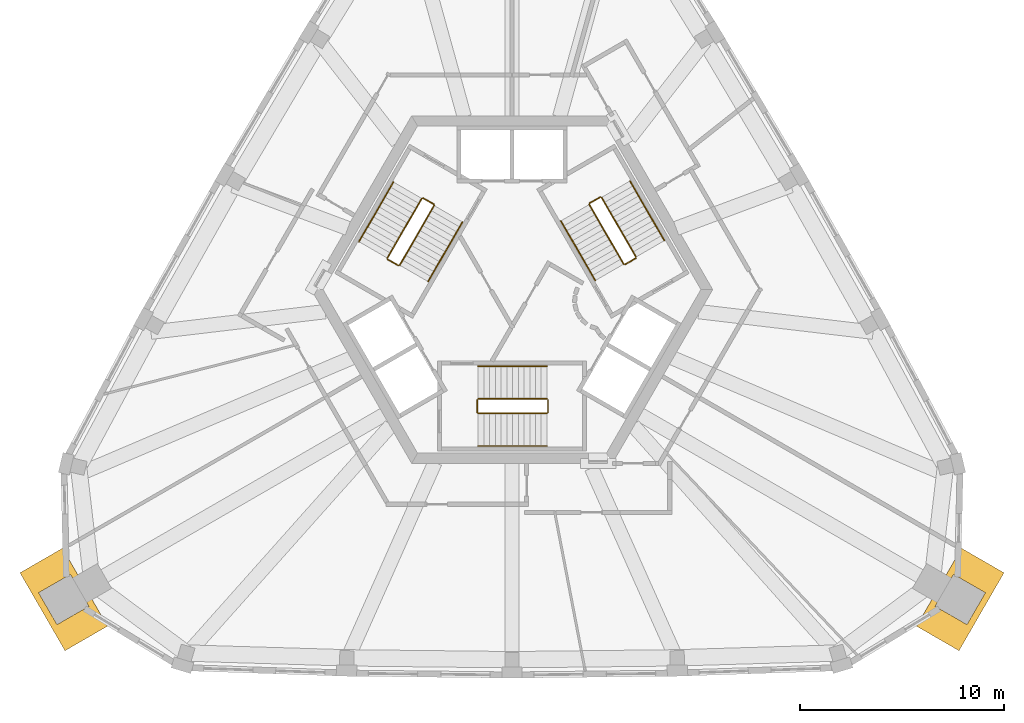
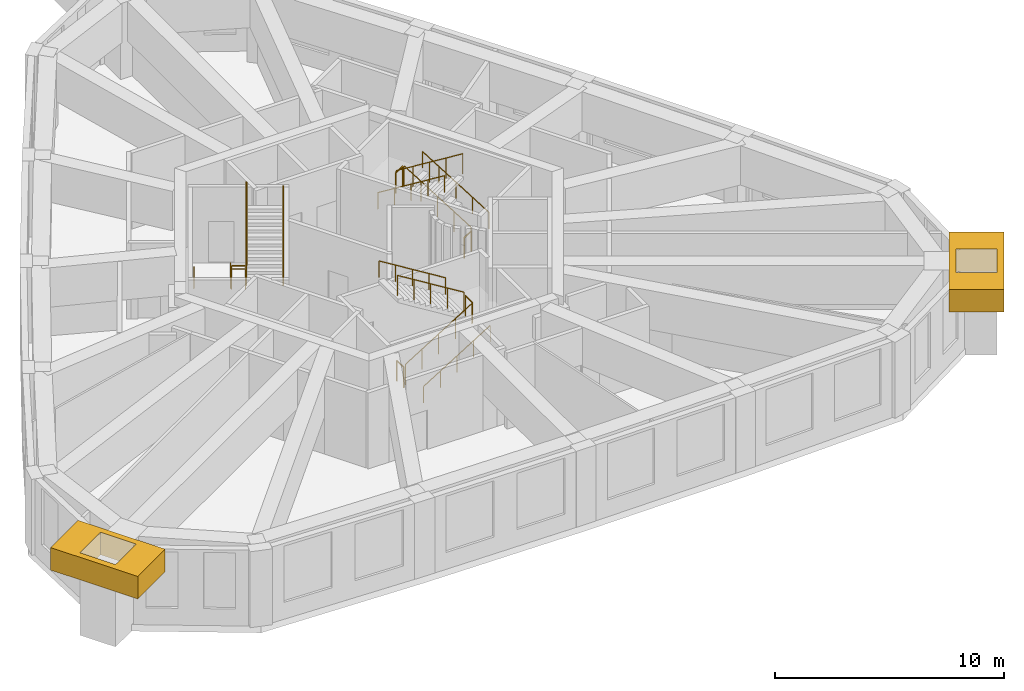
# One storey, part 8 of 9: 18 railings, 2 coverings.
"""IFC4 building model written with IfcOpenShell, lengths in metres."""

from ifc_helpers import new_model, si_unit, direction, frame, origin, origin_2d, place, context, subcontext, project, spatial, polyline, circle, outline, extrude, material, type_object, element, save


model = new_model("IFC4")

# Units and contexts
model_context = context("Model", 3, precision=1e-05, world=origin(), true_north=direction((0.0, 1.0)))
body_context = subcontext(model_context, "Body", "Model", "MODEL_VIEW")
ifc_project = project(units=[si_unit("LENGTHUNIT", "METRE"), si_unit("AREAUNIT", "SQUARE_METRE"), si_unit("VOLUMEUNIT", "CUBIC_METRE"), si_unit("PLANEANGLEUNIT", "RADIAN"), si_unit("MASSUNIT", "GRAM", prefix="KILO")], contexts=[model_context])

# Site, building, storey
site_placement = place(None, origin())
site = spatial("IfcSite", under=ifc_project, at=site_placement, CompositionType="ELEMENT")
building_placement = place(site_placement, origin())
building = spatial("IfcBuilding", under=site, at=building_placement, Name="Entoto Arch Interchange Tower", CompositionType="ELEMENT")
storey_placement = place(building_placement, frame((0.0, 0.0, 335.89990234375)))
storey = spatial("IfcBuildingStorey", under=building, at=storey_placement, Name="L79", CompositionType="ELEMENT", Elevation=335.89990234375)

# Coverings
ifc_material_1 = material(Name="Board-marked precast concrete C50/60", Category="concrete")
covering_type = type_object("IfcCoveringType", Name="PRECAST FRAME COURSE", PredefinedType="CLADDING", material=ifc_material_1)
covering_1_placement = place(storey_placement, frame((0.0, 0.0, 2.85009765625)))
element("IfcCovering", 1, at=covering_1_placement, inside=storey, type_object=covering_type, Name="Corner pilaster head SE L78-L79", PredefinedType="CLADDING", context=body_context, shape_type="SweptSolid", body=[
    extrude(outline(polyline([(24.06005859375, -11.35107421875), (21.860107421875, -15.160888671875), (19.781982421875, -13.9609375), (21.98193359375, -10.15087890625), (24.06005859375, -11.35107421875)]), holes=[polyline([(20.69189453125, -12.985107421875), (22.25, -13.885009765625), (23.14990234375, -12.326904296875), (21.592041015625, -11.427001953125), (20.69189453125, -12.985107421875)])]), origin(), (0.0, 0.0, 1.0), 1.199951171875),
])
covering_2_placement = place(storey_placement, frame((0.0, 0.0, 2.85009765625)))
element("IfcCovering", 2, at=covering_2_placement, inside=storey, type_object=covering_type, Name="Corner pilaster head SW L78-L79", PredefinedType="CLADDING", context=body_context, shape_type="SweptSolid", body=[
    extrude(outline(polyline([(-21.860107421875, -15.160888671875), (-24.06005859375, -11.35107421875), (-21.98193359375, -10.15087890625), (-19.781982421875, -13.9609375), (-21.860107421875, -15.160888671875)]), holes=[polyline([(-21.592041015625, -11.427001953125), (-23.14990234375, -12.326904296875), (-22.25, -13.885009765625), (-20.69189453125, -12.985107421875), (-21.592041015625, -11.427001953125)])]), origin(), (0.0, 0.0, 1.0), 1.199951171875),
])

# Railings
ifc_material_2 = material(Name="Stainless steel 1.4301", Category="steel")
railing_type_1 = type_object("IfcRailingType", Name="STAIR GUARD 1100 STEEL", PredefinedType="GUARDRAIL", material=ifc_material_2)
railing_1_placement = place(storey_placement, frame((-1.64990234375, -3.550048828125, 0.173095703125)))
element("IfcRailing", 3, at=railing_1_placement, inside=storey, type_object=railing_type_1, Name="L79 ST-S stair guard 1", PredefinedType="GUARDRAIL", context=body_context, shape_type="SweptSolid", body=[
    extrude(circle(Radius=0.02392578125, at=origin_2d()), frame((0.0, 0.0, 1.076171875), z_axis=(0.850606129759, 0.0, 0.525803396734), x_axis=(0.0, 1.0, 0.0)), (0.0, 0.0, 1.0), 3.949951171875),
    extrude(circle(Radius=0.02099609375, at=origin_2d()), origin(), (0.0, 0.0, 1.0), 1.052001953125),
    extrude(circle(Radius=0.02099609375, at=origin_2d()), frame((0.83984375, 0.0, 0.519287109375)), (0.0, 0.0, 1.0), 1.052001953125),
    extrude(circle(Radius=0.02099609375, at=origin_2d()), frame((1.679931640625, 0.0, 1.03857421875)), (0.0, 0.0, 1.0), 1.052001953125),
    extrude(circle(Radius=0.02099609375, at=origin_2d()), frame((2.52001953125, 0.0, 1.5576171875)), (0.0, 0.0, 1.0), 1.052001953125),
    extrude(circle(Radius=0.02099609375, at=origin_2d()), frame((3.35986328125, 0.0, 2.076904296875)), (0.0, 0.0, 1.0), 1.052001953125),
])
railing_2_placement = place(storey_placement, frame((1.760009765625, -3.5, 2.25)))
element("IfcRailing", 4, at=railing_2_placement, inside=storey, type_object=railing_type_1, Name="L79 ST-S stair guard 2", PredefinedType="GUARDRAIL", context=body_context, shape_type="SweptSolid", body=[
    extrude(circle(Radius=0.02392578125, at=origin_2d()), frame((0.0, 0.0, 1.076171875), z_axis=(0.0, 1.0, 0.0), x_axis=(-1.0, 0.0, 0.0)), (0.0, 0.0, 1.0), 0.60009765625),
    extrude(circle(Radius=0.02099609375, at=origin_2d()), origin(), (0.0, 0.0, 1.0), 1.052001953125),
    extrude(circle(Radius=0.02099609375, at=origin_2d()), frame((0.0, 0.60009765625, 0.0)), (0.0, 0.0, 1.0), 1.052001953125),
])
railing_3_placement = place(storey_placement, frame((1.7099609375, -2.85009765625, 2.423095703125)))
element("IfcRailing", 5, at=railing_3_placement, inside=storey, type_object=railing_type_1, Name="L79 ST-S stair guard 3", PredefinedType="GUARDRAIL", context=body_context, shape_type="SweptSolid", body=[
    extrude(circle(Radius=0.02392578125, at=origin_2d()), frame((0.0, 0.0, 1.076171875), z_axis=(-0.850606129759, 0.0, 0.525803396734), x_axis=(0.0, -1.0, 0.0)), (0.0, 0.0, 1.0), 3.949951171875),
    extrude(circle(Radius=0.02099609375, at=origin_2d()), origin(), (0.0, 0.0, 1.0), 1.052001953125),
    extrude(circle(Radius=0.02099609375, at=origin_2d()), frame((-0.83984375, 0.0, 0.519287109375)), (0.0, 0.0, 1.0), 1.052001953125),
    extrude(circle(Radius=0.02099609375, at=origin_2d()), frame((-1.679931640625, 0.0, 1.03857421875)), (0.0, 0.0, 1.0), 1.052001953125),
    extrude(circle(Radius=0.02099609375, at=origin_2d()), frame((-2.52001953125, 0.0, 1.5576171875)), (0.0, 0.0, 1.0), 1.052001953125),
    extrude(circle(Radius=0.02099609375, at=origin_2d()), frame((-3.35986328125, 0.0, 2.076904296875)), (0.0, 0.0, 1.0), 1.052001953125),
])
railing_4_placement = place(storey_placement, frame((-1.699951171875, -3.5, 0.0)))
element("IfcRailing", 6, at=railing_4_placement, inside=storey, type_object=railing_type_1, Name="L79 ST-S stair guard 4", PredefinedType="GUARDRAIL", context=body_context, shape_type="SweptSolid", body=[
    extrude(circle(Radius=0.02392578125, at=origin_2d()), frame((0.0, 0.0, 1.076171875), z_axis=(0.0, 1.0, 0.0), x_axis=(-1.0, 0.0, 0.0)), (0.0, 0.0, 1.0), 0.60009765625),
    extrude(circle(Radius=0.02099609375, at=origin_2d()), origin(), (0.0, 0.0, 1.0), 1.052001953125),
    extrude(circle(Radius=0.02099609375, at=origin_2d()), frame((0.0, 0.60009765625, 0.0)), (0.0, 0.0, 1.0), 1.052001953125),
])
railing_5_placement = place(storey_placement, frame((6.064453125, 4.095947265625, 0.173095703125)))
element("IfcRailing", 7, at=railing_5_placement, inside=storey, type_object=railing_type_1, Name="L79 ST-NE stair guard 1", PredefinedType="GUARDRAIL", context=body_context, shape_type="SweptSolid", body=[
    extrude(circle(Radius=0.02392578125, at=origin_2d()), frame((0.0, 0.0, 1.076171875), z_axis=(-0.425288379326, 0.736667954249, 0.525785240943), x_axis=(-0.866039179741, -0.499976138585, 0.0)), (0.0, 0.0, 1.0), 3.9501953125),
    extrude(circle(Radius=0.02099609375, at=origin_2d()), origin(), (0.0, 0.0, 1.0), 1.052001953125),
    extrude(circle(Radius=0.02099609375, at=origin_2d()), frame((-0.419921875, 0.7275390625, 0.519287109375)), (0.0, 0.0, 1.0), 1.052001953125),
    extrude(circle(Radius=0.02099609375, at=origin_2d()), frame((-0.83984375, 1.455078125, 1.03857421875)), (0.0, 0.0, 1.0), 1.052001953125),
    extrude(circle(Radius=0.02099609375, at=origin_2d()), frame((-1.260009765625, 2.182373046875, 1.5576171875)), (0.0, 0.0, 1.0), 1.052001953125),
    extrude(circle(Radius=0.02099609375, at=origin_2d()), frame((-1.679931640625, 2.909912109375, 2.076904296875)), (0.0, 0.0, 1.0), 1.052001953125),
])
railing_6_placement = place(storey_placement, frame((4.316162109375, 7.024169921875, 2.25)))
element("IfcRailing", 8, at=railing_6_placement, inside=storey, type_object=railing_type_1, Name="L79 ST-NE stair guard 2", PredefinedType="GUARDRAIL", context=body_context, shape_type="SweptSolid", body=[
    extrude(circle(Radius=0.02392578125, at=origin_2d()), frame((0.0, 0.0, 1.076171875), z_axis=(-0.865955154139, -0.50012165622, 0.0), x_axis=(0.50012165622, -0.865955154139, 0.0)), (0.0, 0.0, 1.0), 0.599853515625),
    extrude(circle(Radius=0.02099609375, at=origin_2d()), origin(), (0.0, 0.0, 1.0), 1.052001953125),
    extrude(circle(Radius=0.02099609375, at=origin_2d()), frame((-0.51953125, -0.300048828125, 0.0)), (0.0, 0.0, 1.0), 1.052001953125),
])
railing_7_placement = place(storey_placement, frame((3.7783203125, 6.656005859375, 2.423095703125)))
element("IfcRailing", 9, at=railing_7_placement, inside=storey, type_object=railing_type_1, Name="L79 ST-NE stair guard 3", PredefinedType="GUARDRAIL", context=body_context, shape_type="SweptSolid", body=[
    extrude(circle(Radius=0.02392578125, at=origin_2d()), frame((0.0, 0.0, 1.076171875), z_axis=(0.425288379326, -0.736667954249, 0.525785240943), x_axis=(0.866039179741, 0.499976138585, 0.0)), (0.0, 0.0, 1.0), 3.9501953125),
    extrude(circle(Radius=0.02099609375, at=origin_2d()), origin(), (0.0, 0.0, 1.0), 1.052001953125),
    extrude(circle(Radius=0.02099609375, at=origin_2d()), frame((0.419921875, -0.7275390625, 0.519287109375)), (0.0, 0.0, 1.0), 1.052001953125),
    extrude(circle(Radius=0.02099609375, at=origin_2d()), frame((0.83984375, -1.455078125, 1.03857421875)), (0.0, 0.0, 1.0), 1.052001953125),
    extrude(circle(Radius=0.02099609375, at=origin_2d()), frame((1.260009765625, -2.182373046875, 1.5576171875)), (0.0, 0.0, 1.0), 1.052001953125),
    extrude(circle(Radius=0.02099609375, at=origin_2d()), frame((1.679931640625, -2.909912109375, 2.076904296875)), (0.0, 0.0, 1.0), 1.052001953125),
])
railing_8_placement = place(storey_placement, frame((6.046142578125, 4.02783203125, 0.0)))
element("IfcRailing", 10, at=railing_8_placement, inside=storey, type_object=railing_type_1, Name="L79 ST-NE stair guard 4", PredefinedType="GUARDRAIL", context=body_context, shape_type="SweptSolid", body=[
    extrude(circle(Radius=0.02392578125, at=origin_2d()), frame((0.0, 0.0, 1.076171875), z_axis=(-0.865955154139, -0.50012165622, 0.0), x_axis=(0.50012165622, -0.865955154139, 0.0)), (0.0, 0.0, 1.0), 0.599853515625),
    extrude(circle(Radius=0.02099609375, at=origin_2d()), origin(), (0.0, 0.0, 1.0), 1.052001953125),
    extrude(circle(Radius=0.02099609375, at=origin_2d()), frame((-0.51953125, -0.300048828125, 0.0)), (0.0, 0.0, 1.0), 1.052001953125),
])
railing_9_placement = place(storey_placement, frame((-4.41455078125, 6.953857421875, 0.173095703125)))
element("IfcRailing", 11, at=railing_9_placement, inside=storey, type_object=railing_type_1, Name="L79 ST-NW stair guard 1", PredefinedType="GUARDRAIL", context=body_context, shape_type="SweptSolid", body=[
    extrude(circle(Radius=0.02392578125, at=origin_2d()), frame((0.0, 0.0, 1.076171875), z_axis=(-0.425307743487, -0.736639687092, 0.525809180911), x_axis=(0.866021014662, -0.500007602105, 0.0)), (0.0, 0.0, 1.0), 3.949951171875),
    extrude(circle(Radius=0.02099609375, at=origin_2d()), origin(), (0.0, 0.0, 1.0), 1.052001953125),
    extrude(circle(Radius=0.02099609375, at=origin_2d()), frame((-0.419921875, -0.7275390625, 0.519287109375)), (0.0, 0.0, 1.0), 1.052001953125),
    extrude(circle(Radius=0.02099609375, at=origin_2d()), frame((-0.83984375, -1.454833984375, 1.03857421875)), (0.0, 0.0, 1.0), 1.052001953125),
    extrude(circle(Radius=0.02099609375, at=origin_2d()), frame((-1.260009765625, -2.18212890625, 1.5576171875)), (0.0, 0.0, 1.0), 1.052001953125),
    extrude(circle(Radius=0.02099609375, at=origin_2d()), frame((-1.679931640625, -2.90966796875, 2.076904296875)), (0.0, 0.0, 1.0), 1.052001953125),
])
railing_10_placement = place(storey_placement, frame((-6.076171875, 3.975830078125, 2.25)))
element("IfcRailing", 12, at=railing_10_placement, inside=storey, type_object=railing_type_1, Name="L79 ST-NW stair guard 2", PredefinedType="GUARDRAIL", context=body_context, shape_type="SweptSolid", body=[
    extrude(circle(Radius=0.02392578125, at=origin_2d()), frame((0.0, 0.0, 1.076171875), z_axis=(0.865955154139, -0.50012165622, 0.0), x_axis=(0.50012165622, 0.865955154139, 0.0)), (0.0, 0.0, 1.0), 0.599853515625),
    extrude(circle(Radius=0.02099609375, at=origin_2d()), origin(), (0.0, 0.0, 1.0), 1.052001953125),
    extrude(circle(Radius=0.02099609375, at=origin_2d()), frame((0.51953125, -0.300048828125, 0.0)), (0.0, 0.0, 1.0), 1.052001953125),
])
railing_11_placement = place(storey_placement, frame((-5.48828125, 3.694091796875, 2.423095703125)))
element("IfcRailing", 13, at=railing_11_placement, inside=storey, type_object=railing_type_1, Name="L79 ST-NW stair guard 3", PredefinedType="GUARDRAIL", context=body_context, shape_type="SweptSolid", body=[
    extrude(circle(Radius=0.02392578125, at=origin_2d()), frame((0.0, 0.0, 1.076171875), z_axis=(0.425288379326, 0.736667954249, 0.525785240943), x_axis=(-0.866039179741, 0.499976138585, 0.0)), (0.0, 0.0, 1.0), 3.9501953125),
    extrude(circle(Radius=0.02099609375, at=origin_2d()), origin(), (0.0, 0.0, 1.0), 1.052001953125),
    extrude(circle(Radius=0.02099609375, at=origin_2d()), frame((0.419921875, 0.7275390625, 0.519287109375)), (0.0, 0.0, 1.0), 1.052001953125),
    extrude(circle(Radius=0.02099609375, at=origin_2d()), frame((0.83984375, 1.455078125, 1.03857421875)), (0.0, 0.0, 1.0), 1.052001953125),
    extrude(circle(Radius=0.02099609375, at=origin_2d()), frame((1.260009765625, 2.182373046875, 1.5576171875)), (0.0, 0.0, 1.0), 1.052001953125),
    extrude(circle(Radius=0.02099609375, at=origin_2d()), frame((1.679931640625, 2.909912109375, 2.076904296875)), (0.0, 0.0, 1.0), 1.052001953125),
])
railing_12_placement = place(storey_placement, frame((-4.34619140625, 6.97216796875, 0.0)))
element("IfcRailing", 14, at=railing_12_placement, inside=storey, type_object=railing_type_1, Name="L79 ST-NW stair guard 4", PredefinedType="GUARDRAIL", context=body_context, shape_type="SweptSolid", body=[
    extrude(circle(Radius=0.02392578125, at=origin_2d()), frame((0.0, 0.0, 1.076171875), z_axis=(0.866232998003, -0.499640263761, 0.0), x_axis=(0.499640263761, 0.866232998003, 0.0)), (0.0, 0.0, 1.0), 0.60009765625),
    extrude(circle(Radius=0.02099609375, at=origin_2d()), origin(), (0.0, 0.0, 1.0), 1.052001953125),
    extrude(circle(Radius=0.02099609375, at=origin_2d()), frame((0.519775390625, -0.2998046875, 0.0)), (0.0, 0.0, 1.0), 1.052001953125),
])
railing_type_2 = type_object("IfcRailingType", Name="STAIR HANDRAIL 900 STEEL", PredefinedType="HANDRAIL", material=ifc_material_2)
railing_13_placement = place(storey_placement, frame((-1.64990234375, -5.14990234375, 0.173095703125)))
element("IfcRailing", 15, at=railing_13_placement, inside=storey, type_object=railing_type_2, Name="L79 ST-S stair handrail 1", PredefinedType="HANDRAIL", context=body_context, shape_type="SweptSolid", body=[
    extrude(circle(Radius=0.02392578125, at=origin_2d()), frame((0.0, 0.0, 0.8759765625), z_axis=(0.850606129759, 0.0, 0.525803396734), x_axis=(0.0, 1.0, 0.0)), (0.0, 0.0, 1.0), 3.949951171875),
    extrude(circle(Radius=0.02099609375, at=origin_2d()), origin(), (0.0, 0.0, 1.0), 0.851806640625),
    extrude(circle(Radius=0.02099609375, at=origin_2d()), frame((0.83984375, 0.0, 0.519287109375)), (0.0, 0.0, 1.0), 0.851806640625),
    extrude(circle(Radius=0.02099609375, at=origin_2d()), frame((1.679931640625, 0.0, 1.03857421875)), (0.0, 0.0, 1.0), 0.851806640625),
    extrude(circle(Radius=0.02099609375, at=origin_2d()), frame((2.52001953125, 0.0, 1.5576171875)), (0.0, 0.0, 1.0), 0.851806640625),
    extrude(circle(Radius=0.02099609375, at=origin_2d()), frame((3.35986328125, 0.0, 2.076904296875)), (0.0, 0.0, 1.0), 0.851806640625),
])
railing_14_placement = place(storey_placement, frame((1.7099609375, -1.25, 2.423095703125)))
element("IfcRailing", 16, at=railing_14_placement, inside=storey, type_object=railing_type_2, Name="L79 ST-S stair handrail 2", PredefinedType="HANDRAIL", context=body_context, shape_type="SweptSolid", body=[
    extrude(circle(Radius=0.02392578125, at=origin_2d()), frame((0.0, 0.0, 0.8759765625), z_axis=(-0.850606129759, 0.0, 0.525803396734), x_axis=(0.0, -1.0, 0.0)), (0.0, 0.0, 1.0), 3.949951171875),
    extrude(circle(Radius=0.02099609375, at=origin_2d()), origin(), (0.0, 0.0, 1.0), 0.851806640625),
    extrude(circle(Radius=0.02099609375, at=origin_2d()), frame((-0.83984375, 0.0, 0.519287109375)), (0.0, 0.0, 1.0), 0.851806640625),
    extrude(circle(Radius=0.02099609375, at=origin_2d()), frame((-1.679931640625, 0.0, 1.03857421875)), (0.0, 0.0, 1.0), 0.851806640625),
    extrude(circle(Radius=0.02099609375, at=origin_2d()), frame((-2.52001953125, 0.0, 1.5576171875)), (0.0, 0.0, 1.0), 0.851806640625),
    extrude(circle(Radius=0.02099609375, at=origin_2d()), frame((-3.35986328125, 0.0, 2.076904296875)), (0.0, 0.0, 1.0), 0.851806640625),
])
railing_15_placement = place(storey_placement, frame((7.4501953125, 4.89599609375, 0.173095703125)))
element("IfcRailing", 17, at=railing_15_placement, inside=storey, type_object=railing_type_2, Name="L79 ST-NE stair handrail 1", PredefinedType="HANDRAIL", context=body_context, shape_type="SweptSolid", body=[
    extrude(circle(Radius=0.02392578125, at=origin_2d()), frame((0.0, 0.0, 0.8759765625), z_axis=(-0.42533900462, 0.736648589954, 0.52577141998), x_axis=(-0.866007717299, -0.500030632641, 0.0)), (0.0, 0.0, 1.0), 3.9501953125),
    extrude(circle(Radius=0.02099609375, at=origin_2d()), origin(), (0.0, 0.0, 1.0), 0.851806640625),
    extrude(circle(Radius=0.02099609375, at=origin_2d()), frame((-0.419921875, 0.7275390625, 0.519287109375)), (0.0, 0.0, 1.0), 0.851806640625),
    extrude(circle(Radius=0.02099609375, at=origin_2d()), frame((-0.840087890625, 1.455078125, 1.03857421875)), (0.0, 0.0, 1.0), 0.851806640625),
    extrude(circle(Radius=0.02099609375, at=origin_2d()), frame((-1.26025390625, 2.182373046875, 1.5576171875)), (0.0, 0.0, 1.0), 0.851806640625),
    extrude(circle(Radius=0.02099609375, at=origin_2d()), frame((-1.68017578125, 2.909912109375, 2.076904296875)), (0.0, 0.0, 1.0), 0.851806640625),
])
railing_16_placement = place(storey_placement, frame((2.392578125, 5.85595703125, 2.423095703125)))
element("IfcRailing", 18, at=railing_16_placement, inside=storey, type_object=railing_type_2, Name="L79 ST-NE stair handrail 2", PredefinedType="HANDRAIL", context=body_context, shape_type="SweptSolid", body=[
    extrude(circle(Radius=0.02392578125, at=origin_2d()), frame((0.0, 0.0, 0.8759765625), z_axis=(0.425288379326, -0.736667954249, 0.525785240943), x_axis=(0.866039179741, 0.499976138585, 0.0)), (0.0, 0.0, 1.0), 3.9501953125),
    extrude(circle(Radius=0.02099609375, at=origin_2d()), origin(), (0.0, 0.0, 1.0), 0.851806640625),
    extrude(circle(Radius=0.02099609375, at=origin_2d()), frame((0.419921875, -0.7275390625, 0.519287109375)), (0.0, 0.0, 1.0), 0.851806640625),
    extrude(circle(Radius=0.02099609375, at=origin_2d()), frame((0.83984375, -1.455078125, 1.03857421875)), (0.0, 0.0, 1.0), 0.851806640625),
    extrude(circle(Radius=0.02099609375, at=origin_2d()), frame((1.260009765625, -2.182373046875, 1.5576171875)), (0.0, 0.0, 1.0), 0.851806640625),
    extrude(circle(Radius=0.02099609375, at=origin_2d()), frame((1.679931640625, -2.909912109375, 2.076904296875)), (0.0, 0.0, 1.0), 0.851806640625),
])
railing_17_placement = place(storey_placement, frame((-5.800048828125, 7.75390625, 0.173095703125)))
element("IfcRailing", 19, at=railing_17_placement, inside=storey, type_object=railing_type_2, Name="L79 ST-NW stair handrail 1", PredefinedType="HANDRAIL", context=body_context, shape_type="SweptSolid", body=[
    extrude(circle(Radius=0.02392578125, at=origin_2d()), frame((0.0, 0.0, 0.8759765625), z_axis=(-0.425288379326, -0.736667954249, 0.525785240943), x_axis=(0.866039179741, -0.499976138585, 0.0)), (0.0, 0.0, 1.0), 3.9501953125),
    extrude(circle(Radius=0.02099609375, at=origin_2d()), origin(), (0.0, 0.0, 1.0), 0.851806640625),
    extrude(circle(Radius=0.02099609375, at=origin_2d()), frame((-0.419921875, -0.7275390625, 0.519287109375)), (0.0, 0.0, 1.0), 0.851806640625),
    extrude(circle(Radius=0.02099609375, at=origin_2d()), frame((-0.83984375, -1.455078125, 1.03857421875)), (0.0, 0.0, 1.0), 0.851806640625),
    extrude(circle(Radius=0.02099609375, at=origin_2d()), frame((-1.260009765625, -2.182373046875, 1.5576171875)), (0.0, 0.0, 1.0), 0.851806640625),
    extrude(circle(Radius=0.02099609375, at=origin_2d()), frame((-1.679931640625, -2.909912109375, 2.076904296875)), (0.0, 0.0, 1.0), 0.851806640625),
])
railing_18_placement = place(storey_placement, frame((-4.1025390625, 2.89404296875, 2.423095703125)))
element("IfcRailing", 20, at=railing_18_placement, inside=storey, type_object=railing_type_2, Name="L79 ST-NW stair handrail 2", PredefinedType="HANDRAIL", context=body_context, shape_type="SweptSolid", body=[
    extrude(circle(Radius=0.02392578125, at=origin_2d()), frame((0.0, 0.0, 0.8759765625), z_axis=(0.425288379326, 0.736667954249, 0.525785240943), x_axis=(-0.866039179741, 0.499976138585, 0.0)), (0.0, 0.0, 1.0), 3.9501953125),
    extrude(circle(Radius=0.02099609375, at=origin_2d()), origin(), (0.0, 0.0, 1.0), 0.851806640625),
    extrude(circle(Radius=0.02099609375, at=origin_2d()), frame((0.419921875, 0.7275390625, 0.519287109375)), (0.0, 0.0, 1.0), 0.851806640625),
    extrude(circle(Radius=0.02099609375, at=origin_2d()), frame((0.83984375, 1.455078125, 1.03857421875)), (0.0, 0.0, 1.0), 0.851806640625),
    extrude(circle(Radius=0.02099609375, at=origin_2d()), frame((1.260009765625, 2.182373046875, 1.5576171875)), (0.0, 0.0, 1.0), 0.851806640625),
    extrude(circle(Radius=0.02099609375, at=origin_2d()), frame((1.679931640625, 2.909912109375, 2.076904296875)), (0.0, 0.0, 1.0), 0.851806640625),
])

save(model, "model.ifc")
